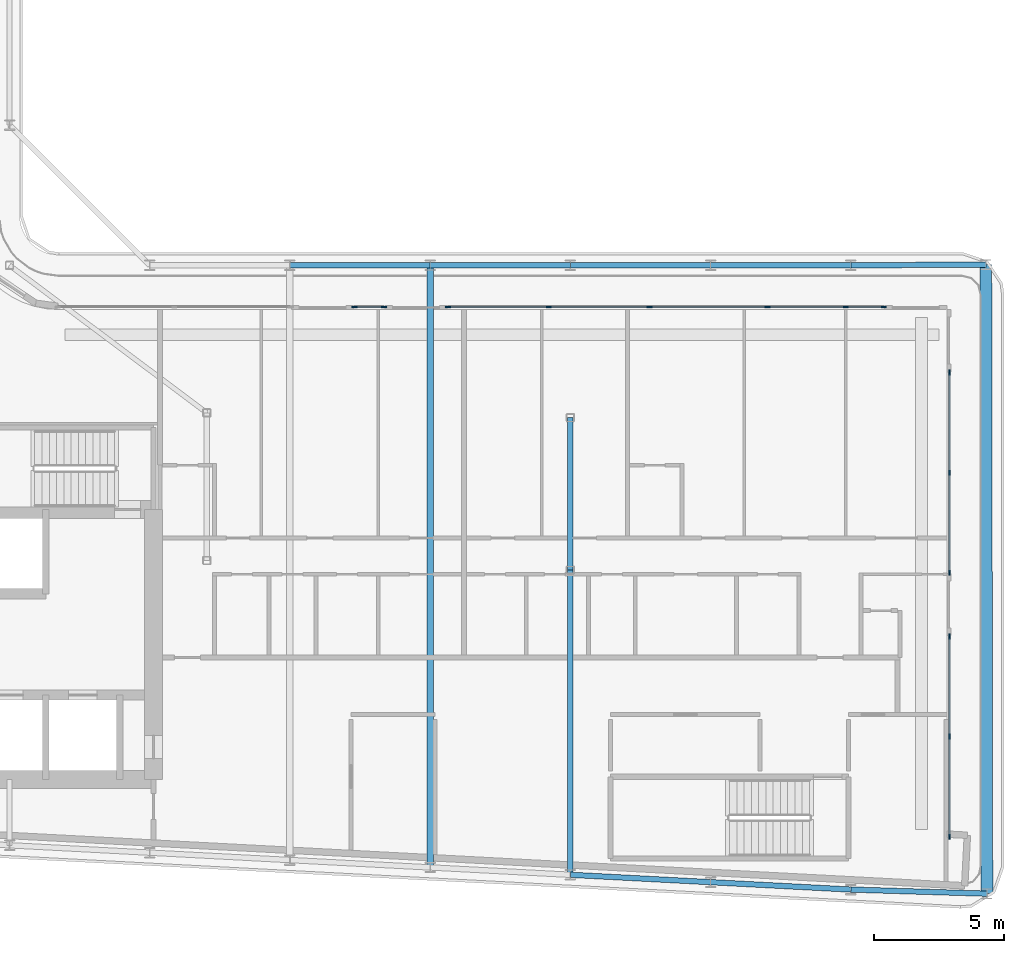
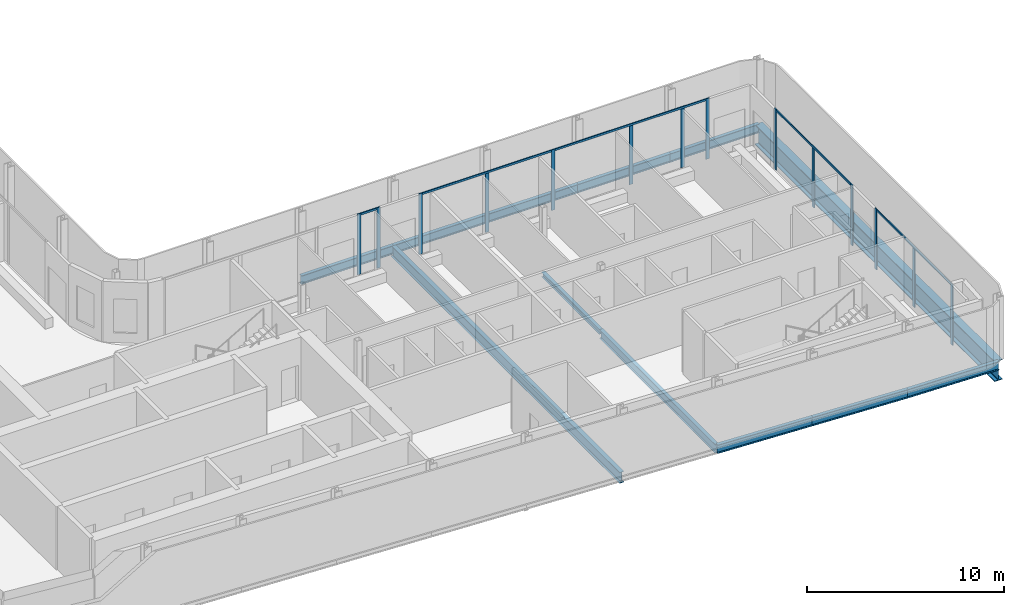
# One storey, part 5 of 23: 19 members, 12 beams, 5 elements without a shape of their own.
"""IFC4 building model written with IfcOpenShell, lengths in metres."""

from ifc_helpers import new_model, si_unit, direction, frame, origin, origin_2d, place, context, subcontext, project, spatial, rectangle, i_section, extrude, material, layer, layer_set, material_profile, profile_set, type_object, element, aggregate, save


model = new_model("IFC4")

# Units and contexts
model_context = context("Model", 3, precision=1e-05, world=origin(), true_north=direction((0.0, 1.0)))
body_context = subcontext(model_context, "Body", "Model", "MODEL_VIEW")
ifc_project = project(units=[si_unit("LENGTHUNIT", "METRE"), si_unit("AREAUNIT", "SQUARE_METRE"), si_unit("VOLUMEUNIT", "CUBIC_METRE"), si_unit("PLANEANGLEUNIT", "RADIAN"), si_unit("MASSUNIT", "GRAM", prefix="KILO")], contexts=[model_context])

# Site, building, storey
site_placement = place(None, origin())
site = spatial("IfcSite", under=ifc_project, at=site_placement, CompositionType="ELEMENT")
building_placement = place(site_placement, origin())
building = spatial("IfcBuilding", under=site, at=building_placement, Name="Kheshtan School and Residences Tower", CompositionType="ELEMENT")
storey_placement = place(building_placement, frame((0.0, 0.0, 259.10009765625)))
storey = spatial("IfcBuildingStorey", under=building, at=storey_placement, Name="L61", CompositionType="ELEMENT", Elevation=259.10009765625)

# Beams
ifc_material_1 = material(Name="Steel ASTM A992 Grade 50", Category="steel")
ifc_material_profile_1 = material_profile(ifc_material_1, i_section(OverallWidth=0.202880859375, OverallDepth=0.302978515625, WebThickness=0.007568359375, FlangeThickness=0.01318359375, FilletRadius=0.009033203125, at=origin_2d()), Name="W310x60")
ifc_profile_set_1 = profile_set([ifc_material_profile_1], Name="Steel ASTM A992 Grade 50")
beam_type_1 = type_object("IfcBeamType", Name="Beam FB1 W310x60 ASTM A992 Grade 50", PredefinedType="BEAM", material=ifc_profile_set_1)
beam_1_placement = place(storey_placement, frame((69.199951171875, 33.863037109375, -0.301513671875), z_axis=(0.0, 1.0, 0.0), x_axis=(-1.0, 0.0, 0.0)))
element("IfcBeam", 1, at=beam_1_placement, inside=storey, type_object=beam_type_1, Name="Floor beam IC", PredefinedType="BEAM", context=body_context, shape_type="SweptSolid", body=[
    extrude(i_section(OverallWidth=0.202880859375, OverallDepth=0.302978515625, WebThickness=0.007568359375, FlangeThickness=0.01318359375, FilletRadius=0.009033203125, at=origin_2d()), origin(), (0.0, 0.0, 1.0), 5.868896484375),
])
ifc_material_profile_2 = material_profile(ifc_material_1, i_section(OverallWidth=0.208984375, OverallDepth=0.532958984375, WebThickness=0.01025390625, FlangeThickness=0.015625, FilletRadius=0.013916015625, at=origin_2d()), Name="W530x92")
ifc_profile_set_2 = profile_set([ifc_material_profile_2], Name="Steel ASTM A992 Grade 50")
beam_type_2 = type_object("IfcBeamType", Name="Beam FB4 W530x92 ASTM A992 Grade 50", PredefinedType="BEAM", material=ifc_profile_set_2)
beam_2_placement = place(storey_placement, frame((69.199951171875, 22.126953125, -0.41650390625), z_axis=(0.0, 1.0, 0.0), x_axis=(-1.0, 0.0, 0.0)))
element("IfcBeam", 2, at=beam_2_placement, inside=storey, type_object=beam_type_2, Name="Floor beam C014", PredefinedType="BEAM", context=body_context, shape_type="SweptSolid", body=[
    extrude(i_section(OverallWidth=0.208984375, OverallDepth=0.532958984375, WebThickness=0.01025390625, FlangeThickness=0.015625, FilletRadius=0.013916015625, at=origin_2d()), origin(), (0.0, 0.0, 1.0), 11.736083984375),
])
ifc_material_profile_3 = material_profile(ifc_material_1, i_section(OverallWidth=0.2529296875, OverallDepth=0.677978515625, WebThickness=0.01171875, FlangeThickness=0.016357421875, FilletRadius=0.0146484375, at=origin_2d()), Name="W690x125")
ifc_profile_set_3 = profile_set([ifc_material_profile_3], Name="Steel ASTM A992 Grade 50")
beam_type_3 = type_object("IfcBeamType", Name="Beam FB6 W690x125 ASTM A992 Grade 50", PredefinedType="BEAM", material=ifc_profile_set_3)
beam_3_placement = place(storey_placement, frame((63.800048828125, 45.60009765625, -0.489013671875), z_axis=(0.0, -1.0, 0.0), x_axis=(1.0, 0.0, 0.0)))
element("IfcBeam", 3, at=beam_3_placement, inside=storey, type_object=beam_type_3, Name="Floor beam C063", PredefinedType="BEAM", context=body_context, shape_type="SweptSolid", body=[
    extrude(i_section(OverallWidth=0.2529296875, OverallDepth=0.677978515625, WebThickness=0.01171875, FlangeThickness=0.016357421875, FilletRadius=0.0146484375, at=origin_2d()), origin(), (0.0, 0.0, 1.0), 23.189208984375),
])
ifc_material_profile_4 = material_profile(ifc_material_1, i_section(OverallWidth=0.208984375, OverallDepth=0.532958984375, WebThickness=0.01025390625, FlangeThickness=0.015625, FilletRadius=0.013916015625, at=origin_2d()), Name="W530x92")
ifc_profile_set_4 = profile_set([ifc_material_profile_4], Name="Steel ASTM A992 Grade 50")
beam_type_4 = type_object("IfcBeamType", Name="Beam SP3 W530x92 ASTM A992 Grade 50", PredefinedType="BEAM", material=ifc_profile_set_4)
beam_4_placement = place(storey_placement, frame((58.39990234375, 45.60009765625, -0.41650390625), z_axis=(1.0, 0.0, 0.0), x_axis=(0.0, 1.0, 0.0)))
element("IfcBeam", 4, at=beam_4_placement, inside=storey, type_object=beam_type_4, Name="Spandrel beam C062-C063", PredefinedType="BEAM", context=body_context, shape_type="SweptSolid", body=[
    extrude(i_section(OverallWidth=0.208984375, OverallDepth=0.532958984375, WebThickness=0.01025390625, FlangeThickness=0.015625, FilletRadius=0.013916015625, at=origin_2d()), origin(), (0.0, 0.0, 1.0), 5.400146484375),
])
beam_5_placement = place(storey_placement, frame((63.800048828125, 45.60009765625, -0.41650390625), z_axis=(1.0, 0.0, 0.0), x_axis=(0.0, 1.0, 0.0)))
element("IfcBeam", 5, at=beam_5_placement, inside=storey, type_object=beam_type_4, Name="Spandrel beam C063-C064", PredefinedType="BEAM", context=body_context, shape_type="SweptSolid", body=[
    extrude(i_section(OverallWidth=0.208984375, OverallDepth=0.532958984375, WebThickness=0.01025390625, FlangeThickness=0.015625, FilletRadius=0.013916015625, at=origin_2d()), origin(), (0.0, 0.0, 1.0), 5.39990234375),
])
beam_6_placement = place(storey_placement, frame((69.199951171875, 45.60009765625, -0.41650390625), z_axis=(1.0, 0.0, 0.0), x_axis=(0.0, 1.0, 0.0)))
element("IfcBeam", 6, at=beam_6_placement, inside=storey, type_object=beam_type_4, Name="Spandrel beam C064-C065", PredefinedType="BEAM", context=body_context, shape_type="SweptSolid", body=[
    extrude(i_section(OverallWidth=0.208984375, OverallDepth=0.532958984375, WebThickness=0.01025390625, FlangeThickness=0.015625, FilletRadius=0.013916015625, at=origin_2d()), origin(), (0.0, 0.0, 1.0), 5.400146484375),
])
beam_7_placement = place(storey_placement, frame((74.60009765625, 45.60009765625, -0.41650390625), z_axis=(1.0, 0.0, 0.0), x_axis=(0.0, 1.0, 0.0)))
element("IfcBeam", 7, at=beam_7_placement, inside=storey, type_object=beam_type_4, Name="Spandrel beam C065-C066", PredefinedType="BEAM", context=body_context, shape_type="SweptSolid", body=[
    extrude(i_section(OverallWidth=0.208984375, OverallDepth=0.532958984375, WebThickness=0.01025390625, FlangeThickness=0.015625, FilletRadius=0.013916015625, at=origin_2d()), origin(), (0.0, 0.0, 1.0), 5.39990234375),
])
beam_8_placement = place(storey_placement, frame((80.0, 45.60009765625, -0.41650390625), z_axis=(0.999985687161, 0.005350277765, 0.0), x_axis=(-0.005350277765, 0.999985687161, 0.0)))
element("IfcBeam", 8, at=beam_8_placement, inside=storey, type_object=beam_type_4, Name="Spandrel beam C066-C076", PredefinedType="BEAM", context=body_context, shape_type="SweptSolid", body=[
    extrude(i_section(OverallWidth=0.208984375, OverallDepth=0.532958984375, WebThickness=0.01025390625, FlangeThickness=0.015625, FilletRadius=0.013916015625, at=origin_2d()), origin(), (0.0, 0.0, 1.0), 5.201904296875),
])
beam_9_placement = place(storey_placement, frame((85.243896484375, 21.39990234375, -0.41650390625), z_axis=(-0.999545226068, 0.030155282206, 0.0), x_axis=(-0.030155282206, -0.999545226068, 0.0)))
element("IfcBeam", 9, at=beam_9_placement, inside=storey, type_object=beam_type_4, Name="Spandrel beam C011-C012", PredefinedType="BEAM", context=body_context, shape_type="SweptSolid", body=[
    extrude(i_section(OverallWidth=0.208984375, OverallDepth=0.532958984375, WebThickness=0.01025390625, FlangeThickness=0.015625, FilletRadius=0.013916015625, at=origin_2d()), origin(), (0.0, 0.0, 1.0), 5.246337890625),
])
beam_10_placement = place(storey_placement, frame((80.0, 21.55810546875, -0.41650390625), z_axis=(-0.998610961136, 0.052689166816, 0.0), x_axis=(-0.052689166816, -0.998610961136, 0.0)))
element("IfcBeam", 10, at=beam_10_placement, inside=storey, type_object=beam_type_4, Name="Spandrel beam C012-C013", PredefinedType="BEAM", context=body_context, shape_type="SweptSolid", body=[
    extrude(i_section(OverallWidth=0.208984375, OverallDepth=0.532958984375, WebThickness=0.01025390625, FlangeThickness=0.015625, FilletRadius=0.013916015625, at=origin_2d()), origin(), (0.0, 0.0, 1.0), 5.407470703125),
])
beam_11_placement = place(storey_placement, frame((74.60009765625, 21.843017578125, -0.41650390625), z_axis=(-0.998620571751, 0.05250670125, 0.0), x_axis=(-0.05250670125, -0.998620571751, 0.0)))
element("IfcBeam", 11, at=beam_11_placement, inside=storey, type_object=beam_type_4, Name="Spandrel beam C013-C014", PredefinedType="BEAM", context=body_context, shape_type="SweptSolid", body=[
    extrude(i_section(OverallWidth=0.208984375, OverallDepth=0.532958984375, WebThickness=0.01025390625, FlangeThickness=0.015625, FilletRadius=0.013916015625, at=origin_2d()), origin(), (0.0, 0.0, 1.0), 5.40771484375),
])

# Curtain wall, members
ifc_material_2 = material(Name="Clear low-e glass in thermally broken aluminium frame", Category="aluminium")
ifc_layer = layer(ifc_material_2, 0.199951171875)
ifc_layer_set = layer_set([ifc_layer], Name="Curtain wall CW-L")
curtain_wall_type = type_object("IfcCurtainWallType", Name="Curtain wall CW-L", PredefinedType="NOTDEFINED", material=ifc_layer_set)
curtain_wall_1_placement = place(storey_placement, origin())
curtain_wall_1 = element("IfcCurtainWall", 12, at=curtain_wall_1_placement, inside=storey, type_object=curtain_wall_type, Name="Curtain wall CWL12b", PredefinedType="NOTDEFINED")
ifc_material_3 = material(Name="Thermally broken aluminium, dark bronze anodised", Category="aluminium")
ifc_material_profile_5 = material_profile(ifc_material_3, rectangle(XDim=0.06005859375, YDim=0.199951171875, at=origin_2d()), Name="CW-L mullion 60x200")
ifc_profile_set_5 = profile_set([ifc_material_profile_5], Name="Thermally broken aluminium, dark bronze anodised")
member_type_1 = type_object("IfcMemberType", Name="CW-L mullion 60x200", PredefinedType="MULLION", material=ifc_profile_set_5)
member_1_placement = place(storey_placement, frame((60.88330078125, 44.0, 0.0), z_axis=(0.0, 0.0, 1.0), x_axis=(0.0, 1.0, 0.0)))
member_1 = element("IfcMember", 13, at=member_1_placement, type_object=member_type_1, Name="CWL12b mullion 1", PredefinedType="MULLION", context=body_context, shape_type="SweptSolid", body=[
    extrude(rectangle(XDim=0.06005859375, YDim=0.199951171875, at=origin_2d()), origin(), (0.0, 0.0, 1.0), 3.75),
])
member_2_placement = place(storey_placement, frame((62.0234375, 44.0, 0.0), z_axis=(0.0, 0.0, 1.0), x_axis=(0.0, 1.0, 0.0)))
member_2 = element("IfcMember", 14, at=member_2_placement, type_object=member_type_1, Name="CWL12b mullion 2", PredefinedType="MULLION", context=body_context, shape_type="SweptSolid", body=[
    extrude(rectangle(XDim=0.06005859375, YDim=0.199951171875, at=origin_2d()), origin(), (0.0, 0.0, 1.0), 3.75),
])

curtain_wall_2_placement = place(storey_placement, origin())
curtain_wall_2 = element("IfcCurtainWall", 15, at=curtain_wall_2_placement, inside=storey, type_object=curtain_wall_type, Name="Curtain wall CWL1229", PredefinedType="NOTDEFINED")
member_3_placement = place(storey_placement, frame((64.4833984375, 44.0, 0.0), z_axis=(0.0, 0.0, 1.0), x_axis=(0.0, 1.0, 0.0)))
member_3 = element("IfcMember", 16, at=member_3_placement, type_object=member_type_1, Name="CWL1229 mullion 1", PredefinedType="MULLION", context=body_context, shape_type="SweptSolid", body=[
    extrude(rectangle(XDim=0.06005859375, YDim=0.199951171875, at=origin_2d()), origin(), (0.0, 0.0, 1.0), 3.75),
])
member_4_placement = place(storey_placement, frame((68.364990234375, 44.0, 0.0), z_axis=(0.0, 0.0, 1.0), x_axis=(0.0, 1.0, 0.0)))
member_4 = element("IfcMember", 17, at=member_4_placement, type_object=member_type_1, Name="CWL1229 mullion 2", PredefinedType="MULLION", context=body_context, shape_type="SweptSolid", body=[
    extrude(rectangle(XDim=0.06005859375, YDim=0.199951171875, at=origin_2d()), origin(), (0.0, 0.0, 1.0), 3.6298828125),
])
member_5_placement = place(storey_placement, frame((72.24658203125, 44.0, 0.0), z_axis=(0.0, 0.0, 1.0), x_axis=(0.0, 1.0, 0.0)))
member_5 = element("IfcMember", 18, at=member_5_placement, type_object=member_type_1, Name="CWL1229 mullion 3", PredefinedType="MULLION", context=body_context, shape_type="SweptSolid", body=[
    extrude(rectangle(XDim=0.06005859375, YDim=0.199951171875, at=origin_2d()), origin(), (0.0, 0.0, 1.0), 3.75),
])

curtain_wall_3_placement = place(storey_placement, origin())
curtain_wall_3 = element("IfcCurtainWall", 19, at=curtain_wall_3_placement, inside=storey, type_object=curtain_wall_type, Name="Curtain wall CWL1228", PredefinedType="NOTDEFINED")
member_6_placement = place(storey_placement, frame((76.788330078125, 44.0, 0.0), z_axis=(0.0, 0.0, 1.0), x_axis=(0.0, 1.0, 0.0)))
member_6 = element("IfcMember", 20, at=member_6_placement, type_object=member_type_1, Name="CWL1228 mullion 2", PredefinedType="MULLION", context=body_context, shape_type="SweptSolid", body=[
    extrude(rectangle(XDim=0.06005859375, YDim=0.199951171875, at=origin_2d()), origin(), (0.0, 0.0, 1.0), 3.6298828125),
])
member_7_placement = place(storey_placement, frame((79.800048828125, 44.0, 0.0), z_axis=(0.0, 0.0, 1.0), x_axis=(0.0, 1.0, 0.0)))
member_7 = element("IfcMember", 21, at=member_7_placement, type_object=member_type_1, Name="CWL1228 mullion 3", PredefinedType="MULLION", context=body_context, shape_type="SweptSolid", body=[
    extrude(rectangle(XDim=0.06005859375, YDim=0.199951171875, at=origin_2d()), origin(), (0.0, 0.0, 1.0), 3.6298828125),
])
member_8_placement = place(storey_placement, frame((81.27001953125, 44.0, 0.0), z_axis=(0.0, 0.0, 1.0), x_axis=(0.0, 1.0, 0.0)))
member_8 = element("IfcMember", 22, at=member_8_placement, type_object=member_type_1, Name="CWL1228 mullion 4", PredefinedType="MULLION", context=body_context, shape_type="SweptSolid", body=[
    extrude(rectangle(XDim=0.06005859375, YDim=0.199951171875, at=origin_2d()), origin(), (0.0, 0.0, 1.0), 3.75),
])

curtain_wall_4_placement = place(storey_placement, origin())
curtain_wall_4 = element("IfcCurtainWall", 23, at=curtain_wall_4_placement, inside=storey, type_object=curtain_wall_type, Name="Curtain wall CWL13c", PredefinedType="NOTDEFINED")
member_9_placement = place(storey_placement, frame((83.800048828125, 41.469970703125, 0.0), z_axis=(0.0, 0.0, 1.0), x_axis=(1.0, 0.0, 0.0)))
member_9 = element("IfcMember", 24, at=member_9_placement, type_object=member_type_1, Name="CWL13c mullion 1", PredefinedType="MULLION", context=body_context, shape_type="SweptSolid", body=[
    extrude(rectangle(XDim=0.06005859375, YDim=0.199951171875, at=origin_2d()), origin(), (0.0, 0.0, 1.0), 3.75),
])
member_10_placement = place(storey_placement, frame((83.800048828125, 37.61669921875, 0.0), z_axis=(0.0, 0.0, 1.0), x_axis=(1.0, 0.0, 0.0)))
member_10 = element("IfcMember", 25, at=member_10_placement, type_object=member_type_1, Name="CWL13c mullion 2", PredefinedType="MULLION", context=body_context, shape_type="SweptSolid", body=[
    extrude(rectangle(XDim=0.06005859375, YDim=0.199951171875, at=origin_2d()), origin(), (0.0, 0.0, 1.0), 3.6298828125),
])
member_11_placement = place(storey_placement, frame((83.800048828125, 33.763427734375, 0.0), z_axis=(0.0, 0.0, 1.0), x_axis=(1.0, 0.0, 0.0)))
member_11 = element("IfcMember", 26, at=member_11_placement, type_object=member_type_1, Name="CWL13c mullion 3", PredefinedType="MULLION", context=body_context, shape_type="SweptSolid", body=[
    extrude(rectangle(XDim=0.06005859375, YDim=0.199951171875, at=origin_2d()), origin(), (0.0, 0.0, 1.0), 3.75),
])

curtain_wall_5_placement = place(storey_placement, origin())
curtain_wall_5 = element("IfcCurtainWall", 27, at=curtain_wall_5_placement, inside=storey, type_object=curtain_wall_type, Name="Curtain wall CWL13c", PredefinedType="NOTDEFINED")
member_12_placement = place(storey_placement, frame((83.800048828125, 31.303466796875, 0.0), z_axis=(0.0, 0.0, 1.0), x_axis=(1.0, 0.0, 0.0)))
member_12 = element("IfcMember", 28, at=member_12_placement, type_object=member_type_1, Name="CWL13c mullion 1", PredefinedType="MULLION", context=body_context, shape_type="SweptSolid", body=[
    extrude(rectangle(XDim=0.06005859375, YDim=0.199951171875, at=origin_2d()), origin(), (0.0, 0.0, 1.0), 3.75),
])
member_13_placement = place(storey_placement, frame((83.800048828125, 27.4501953125, 0.0), z_axis=(0.0, 0.0, 1.0), x_axis=(1.0, 0.0, 0.0)))
member_13 = element("IfcMember", 29, at=member_13_placement, type_object=member_type_1, Name="CWL13c mullion 2", PredefinedType="MULLION", context=body_context, shape_type="SweptSolid", body=[
    extrude(rectangle(XDim=0.06005859375, YDim=0.199951171875, at=origin_2d()), origin(), (0.0, 0.0, 1.0), 3.6298828125),
])
member_14_placement = place(storey_placement, frame((83.800048828125, 23.596923828125, 0.0), z_axis=(0.0, 0.0, 1.0), x_axis=(1.0, 0.0, 0.0)))
member_14 = element("IfcMember", 30, at=member_14_placement, type_object=member_type_1, Name="CWL13c mullion 3", PredefinedType="MULLION", context=body_context, shape_type="SweptSolid", body=[
    extrude(rectangle(XDim=0.06005859375, YDim=0.199951171875, at=origin_2d()), origin(), (0.0, 0.0, 1.0), 3.75),
])

# Member
ifc_material_profile_6 = material_profile(ifc_material_3, rectangle(XDim=0.06005859375, YDim=0.1201171875, at=origin_2d()), Name="CW-L transom 60x120")
ifc_profile_set_6 = profile_set([ifc_material_profile_6], Name="Thermally broken aluminium, dark bronze anodised")
member_type_2 = type_object("IfcMemberType", Name="CW-L transom 60x120", PredefinedType="USERDEFINED", material=ifc_profile_set_6)
member_15_placement = place(storey_placement, frame((60.913330078125, 44.0, 3.68994140625), z_axis=(1.0, 0.0, 0.0), x_axis=(0.0, 1.0, 0.0)))
member_15 = element("IfcMember", 31, at=member_15_placement, type_object=member_type_2, Name="CWL12b transom 1", ObjectType="TRANSOM", PredefinedType="USERDEFINED", context=body_context, shape_type="SweptSolid", body=[
    extrude(rectangle(XDim=0.06005859375, YDim=0.1201171875, at=origin_2d()), origin(), (0.0, 0.0, 1.0), 1.080078125),
])

aggregate(curtain_wall_1, [member_1, member_2, member_15])

member_16_placement = place(storey_placement, frame((64.513427734375, 44.0, 3.68994140625), z_axis=(1.0, 0.0, 0.0), x_axis=(0.0, 1.0, 0.0)))
member_16 = element("IfcMember", 32, at=member_16_placement, type_object=member_type_2, Name="CWL1229 transom 1", ObjectType="TRANSOM", PredefinedType="USERDEFINED", context=body_context, shape_type="SweptSolid", body=[
    extrude(rectangle(XDim=0.06005859375, YDim=0.1201171875, at=origin_2d()), origin(), (0.0, 0.0, 1.0), 7.703125),
])

aggregate(curtain_wall_2, [member_3, member_4, member_5, member_16])

member_17_placement = place(storey_placement, frame((72.276611328125, 44.0, 3.68994140625), z_axis=(1.0, 0.0, 0.0), x_axis=(0.0, 1.0, 0.0)))
member_17 = element("IfcMember", 33, at=member_17_placement, type_object=member_type_2, Name="CWL1228 transom 1", ObjectType="TRANSOM", PredefinedType="USERDEFINED", context=body_context, shape_type="SweptSolid", body=[
    extrude(rectangle(XDim=0.06005859375, YDim=0.1201171875, at=origin_2d()), origin(), (0.0, 0.0, 1.0), 8.96337890625),
])

aggregate(curtain_wall_3, [member_6, member_7, member_8, member_17])

member_18_placement = place(storey_placement, frame((83.800048828125, 41.43994140625, 3.68994140625), z_axis=(0.0, -1.0, 0.0), x_axis=(1.0, 0.0, 0.0)))
member_18 = element("IfcMember", 34, at=member_18_placement, type_object=member_type_2, Name="CWL13c transom 1", ObjectType="TRANSOM", PredefinedType="USERDEFINED", context=body_context, shape_type="SweptSolid", body=[
    extrude(rectangle(XDim=0.06005859375, YDim=0.1201171875, at=origin_2d()), origin(), (0.0, 0.0, 1.0), 7.646484375),
])

aggregate(curtain_wall_4, [member_9, member_10, member_11, member_18])

member_19_placement = place(storey_placement, frame((83.800048828125, 31.2734375, 3.68994140625), z_axis=(0.0, -1.0, 0.0), x_axis=(1.0, 0.0, 0.0)))
member_19 = element("IfcMember", 35, at=member_19_placement, type_object=member_type_2, Name="CWL13c transom 1", ObjectType="TRANSOM", PredefinedType="USERDEFINED", context=body_context, shape_type="SweptSolid", body=[
    extrude(rectangle(XDim=0.06005859375, YDim=0.1201171875, at=origin_2d()), origin(), (0.0, 0.0, 1.0), 7.646484375),
])

aggregate(curtain_wall_5, [member_12, member_13, member_14, member_19])

# Beam
ifc_material_profile_7 = material_profile(ifc_material_1, i_section(OverallWidth=0.449951171875, OverallDepth=1.25, WebThickness=0.02490234375, FlangeThickness=0.044921875, FilletRadius=0.03759765625, at=origin_2d()), Name="WWF1250x546")
ifc_profile_set_7 = profile_set([ifc_material_profile_7], Name="Steel ASTM A992 Grade 50")
beam_type_5 = type_object("IfcBeamType", Name="Transfer girder TG4 WWF1250x546 ASTM A992 Grade 50", PredefinedType="BEAM", material=ifc_profile_set_7)
beam_12_placement = place(storey_placement, frame((85.201904296875, 45.6279296875, -0.775146484375), z_axis=(0.001733204434, -0.999998498, 0.0), x_axis=(0.999998498, 0.001733204434, 0.0)))
element("IfcBeam", 36, at=beam_12_placement, inside=storey, type_object=beam_type_5, Name="Transfer girder C076-C011", PredefinedType="BEAM", context=body_context, shape_type="SweptSolid", body=[
    extrude(i_section(OverallWidth=0.449951171875, OverallDepth=1.25, WebThickness=0.02490234375, FlangeThickness=0.044921875, FilletRadius=0.03759765625, at=origin_2d()), origin(), (0.0, 0.0, 1.0), 24.22802734375),
])

save(model, "model.ifc")
